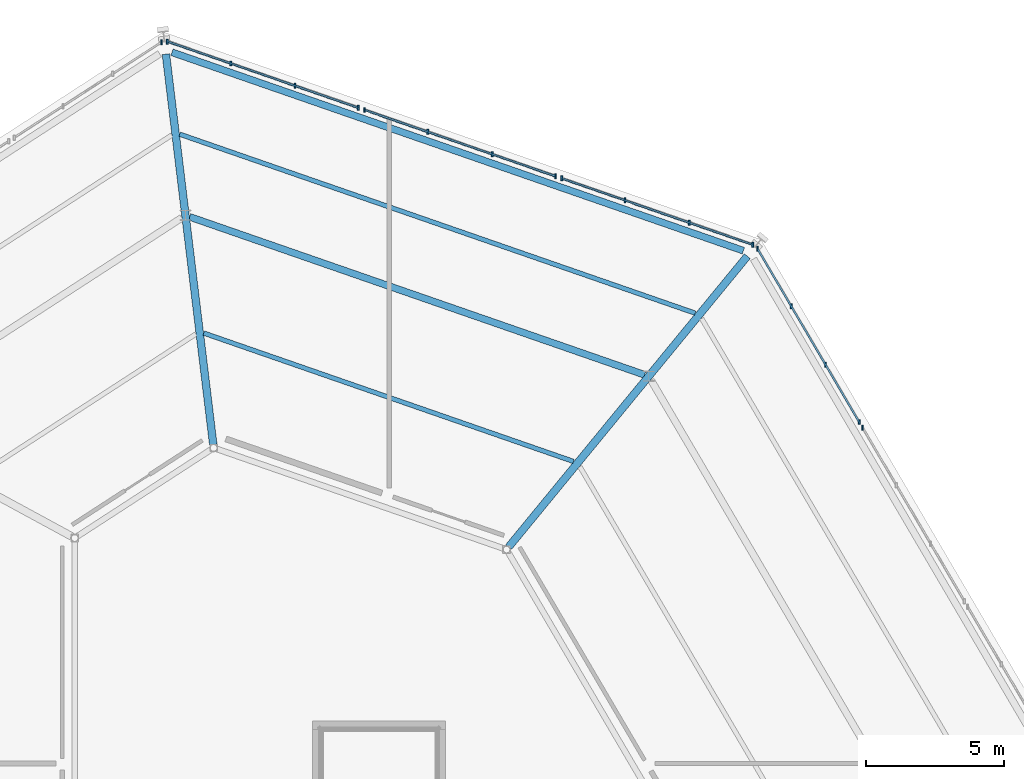
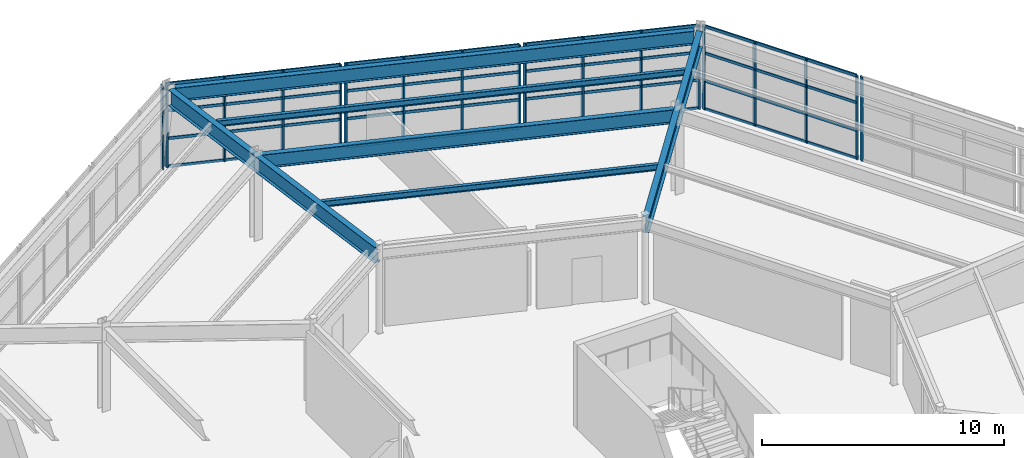
# One storey, part 45 of 77: 34 members, 6 beams, 6 elements without a shape of their own.
"""IFC4 building model written with IfcOpenShell, lengths in metres."""

from ifc_helpers import new_model, si_unit, direction, frame, origin, origin_2d, place, context, subcontext, project, spatial, rectangle, i_section, extrude, material, material_profile, profile_set, type_object, element, aggregate, save


model = new_model("IFC4")

# Units and contexts
model_context = context("Model", 3, precision=1e-05, world=origin(), true_north=direction((0.0, 1.0)))
body_context = subcontext(model_context, "Body", "Model", "MODEL_VIEW")
ifc_project = project(units=[si_unit("LENGTHUNIT", "METRE"), si_unit("AREAUNIT", "SQUARE_METRE"), si_unit("VOLUMEUNIT", "CUBIC_METRE"), si_unit("PLANEANGLEUNIT", "RADIAN"), si_unit("MASSUNIT", "GRAM", prefix="KILO")], contexts=[model_context])

# Site, building, storey
site_placement = place(None, origin())
site = spatial("IfcSite", under=ifc_project, at=site_placement, CompositionType="ELEMENT")
building_placement = place(site_placement, origin())
building = spatial("IfcBuilding", under=site, at=building_placement, Name="Sarnbrook Museum", CompositionType="ELEMENT")
storey_placement = place(building_placement, frame((0.0, 0.0, 5.60009765625)))
storey = spatial("IfcBuildingStorey", under=building, at=storey_placement, Name="L01", CompositionType="ELEMENT", Elevation=5.60009765625)

# Beams
ifc_material_1 = material(Name="Structural Steel Grade 350L0 (AS/NZS 3678, fy = 340 MPa for 20 < t <= 40 mm)", Category="steel")
ifc_material_profile_1 = material_profile(ifc_material_1, i_section(OverallWidth=0.25, OverallDepth=0.699951171875, WebThickness=0.010009765625, FlangeThickness=0.01611328125, at=origin_2d()), Name="700WB130")
ifc_profile_set_1 = profile_set([ifc_material_profile_1], Name="Structural Steel Grade 350L0 (AS/NZS 3678, fy = 340 MPa for 20 < t <= 40 mm)")
beam_type_1 = type_object("IfcBeamType", Name="BM-WB700", PredefinedType="BEAM", material=ifc_profile_set_1)
beam_1_placement = place(storey_placement, frame((156.96337890625, 107.194091796875, 3.889892578125), z_axis=(-0.944675827442, 0.328005458868, 0.0), x_axis=(-0.328005458868, -0.944675827442, 0.0)))
element("IfcBeam", 1, at=beam_1_placement, inside=storey, type_object=beam_type_1, Name="Crystal Hall Perimeter Ring Girder 5 L01", PredefinedType="BEAM", context=body_context, shape_type="SweptSolid", body=[
    extrude(i_section(OverallWidth=0.25, OverallDepth=0.699951171875, WebThickness=0.010009765625, FlangeThickness=0.01611328125, at=origin_2d()), origin(), (0.0, 0.0, 1.0), 21.85693359375),
])
beam_2_placement = place(storey_placement, frame((153.392578125, 102.70947265625, 3.889892578125), z_axis=(-0.944672698081, 0.328014471479, 0.0), x_axis=(-0.328014471479, -0.944672698081, 0.0)))
element("IfcBeam", 2, at=beam_2_placement, inside=storey, type_object=beam_type_1, Name="Crystal Hall R1 Ring Girder 5 L01", PredefinedType="BEAM", context=body_context, shape_type="SweptSolid", body=[
    extrude(i_section(OverallWidth=0.25, OverallDepth=0.699951171875, WebThickness=0.010009765625, FlangeThickness=0.01611328125, at=origin_2d()), origin(), (0.0, 0.0, 1.0), 17.400146484375),
])
ifc_material_profile_2 = material_profile(ifc_material_1, i_section(OverallWidth=0.27490234375, OverallDepth=0.800048828125, WebThickness=0.010009765625, FlangeThickness=0.01611328125, at=origin_2d()), Name="800WB146")
ifc_profile_set_2 = profile_set([ifc_material_profile_2], Name="Structural Steel Grade 350L0 (AS/NZS 3678, fy = 340 MPa for 20 < t <= 40 mm)")
beam_type_2 = type_object("IfcBeamType", Name="CR-CANT", PredefinedType="BEAM", material=ifc_profile_set_2)
beam_3_placement = place(storey_placement, frame((148.481689453125, 96.48876953125, 3.83984375), z_axis=(0.634367806142, 0.773031361932, 0.0), x_axis=(-0.773031361932, 0.634367806142, 0.0)))
element("IfcBeam", 3, at=beam_3_placement, inside=storey, type_object=beam_type_2, Name="Crystal Hall Radial Cantilever Girder 5 L01", PredefinedType="BEAM", context=body_context, shape_type="SweptSolid", body=[
    extrude(i_section(OverallWidth=0.27490234375, OverallDepth=0.800048828125, WebThickness=0.010009765625, FlangeThickness=0.01611328125, at=origin_2d()), origin(), (0.0, 0.0, 1.0), 13.59228515625),
])
beam_4_placement = place(storey_placement, frame((137.80810546875, 100.189697265625, 3.83984375), z_axis=(-0.120386268338, 0.992727125849, 0.0), x_axis=(-0.992727125849, -0.120386268338, 0.0)))
element("IfcBeam", 4, at=beam_4_placement, inside=storey, type_object=beam_type_2, Name="Crystal Hall Radial Cantilever Girder 6 L01", PredefinedType="BEAM", context=body_context, shape_type="SweptSolid", body=[
    extrude(i_section(OverallWidth=0.27490234375, OverallDepth=0.800048828125, WebThickness=0.010009765625, FlangeThickness=0.01611328125, at=origin_2d()), origin(), (0.0, 0.0, 1.0), 14.2099609375),
])

# Curtain wall, member
ifc_material_2 = material(Name="Thermally Broken Anodised Aluminium 6063-T6", Category="aluminium")
curtain_wall_type = type_object("IfcCurtainWallType", Name="CurtainWall_CrystalFacet", PredefinedType="NOTDEFINED", material=ifc_material_2)
curtain_wall_1_placement = place(storey_placement, origin())
curtain_wall_1 = element("IfcCurtainWall", 5, at=curtain_wall_1_placement, inside=storey, type_object=curtain_wall_type, Name="Crystal Hall Facet Curtain Wall L01-F4.2", PredefinedType="NOTDEFINED")
ifc_material_profile_3 = material_profile(ifc_material_2, rectangle(XDim=0.06494140625, YDim=0.179931640625, at=origin_2d()), Name="ALU MULLION 65x180")
ifc_profile_set_3 = profile_set([ifc_material_profile_3], Name="Thermally Broken Anodised Aluminium 6063-T6")
member_type_1 = type_object("IfcMemberType", Name="CW_Mullion_180x75", PredefinedType="MULLION", material=ifc_profile_set_3)
member_1_placement = place(storey_placement, frame((161.267578125, 100.797607421875, 0.0), z_axis=(0.0, 0.0, 1.0), x_axis=(1.0, 0.0, 0.0)))
member_1 = element("IfcMember", 6, at=member_1_placement, type_object=member_type_1, Name="Crystal Hall Facet Curtain Wall L01-F4.2 Mullion 4", PredefinedType="MULLION", context=body_context, shape_type="SweptSolid", body=[
    extrude(rectangle(XDim=0.06494140625, YDim=0.179931640625, at=origin_2d()), origin(), (0.0, 0.0, 1.0), 4.239990234375),
])
aggregate(curtain_wall_1, [member_1])

# Curtain wall, members
curtain_wall_2_placement = place(storey_placement, origin())
curtain_wall_2 = element("IfcCurtainWall", 7, at=curtain_wall_2_placement, inside=storey, type_object=curtain_wall_type, Name="Crystal Hall Facet Curtain Wall L01-F4.3", PredefinedType="NOTDEFINED")
member_2_placement = place(storey_placement, frame((161.14599609375, 101.004638671875, 0.0), z_axis=(0.0, 0.0, 1.0), x_axis=(1.0, 0.0, 0.0)))
member_2 = element("IfcMember", 8, at=member_2_placement, type_object=member_type_1, Name="Crystal Hall Facet Curtain Wall L01-F4.3 Mullion 1", PredefinedType="MULLION", context=body_context, shape_type="SweptSolid", body=[
    extrude(rectangle(XDim=0.06494140625, YDim=0.179931640625, at=origin_2d()), origin(), (0.0, 0.0, 1.0), 4.239990234375),
])
member_3_placement = place(storey_placement, frame((159.92822265625, 103.08056640625, 0.0), z_axis=(0.0, 0.0, 1.0), x_axis=(1.0, 0.0, 0.0)))
member_3 = element("IfcMember", 9, at=member_3_placement, type_object=member_type_1, Name="Crystal Hall Facet Curtain Wall L01-F4.3 Mullion 2", PredefinedType="MULLION", context=body_context, shape_type="SweptSolid", body=[
    extrude(rectangle(XDim=0.06494140625, YDim=0.179931640625, at=origin_2d()), origin(), (0.0, 0.0, 1.0), 4.239990234375),
])
member_4_placement = place(storey_placement, frame((158.68994140625, 105.19091796875, 0.0), z_axis=(0.0, 0.0, 1.0), x_axis=(1.0, 0.0, 0.0)))
member_4 = element("IfcMember", 10, at=member_4_placement, type_object=member_type_1, Name="Crystal Hall Facet Curtain Wall L01-F4.3 Mullion 3", PredefinedType="MULLION", context=body_context, shape_type="SweptSolid", body=[
    extrude(rectangle(XDim=0.06494140625, YDim=0.179931640625, at=origin_2d()), origin(), (0.0, 0.0, 1.0), 4.239990234375),
])
member_5_placement = place(storey_placement, frame((157.471923828125, 107.2666015625, 0.0), z_axis=(0.0, 0.0, 1.0), x_axis=(1.0, 0.0, 0.0)))
member_5 = element("IfcMember", 11, at=member_5_placement, type_object=member_type_1, Name="Crystal Hall Facet Curtain Wall L01-F4.3 Mullion 4", PredefinedType="MULLION", context=body_context, shape_type="SweptSolid", body=[
    extrude(rectangle(XDim=0.06494140625, YDim=0.179931640625, at=origin_2d()), origin(), (0.0, 0.0, 1.0), 4.239990234375),
])

curtain_wall_3_placement = place(storey_placement, origin())
curtain_wall_3 = element("IfcCurtainWall", 12, at=curtain_wall_3_placement, inside=storey, type_object=curtain_wall_type, Name="Crystal Hall Facet Curtain Wall L01-F5.1", PredefinedType="NOTDEFINED")
member_6_placement = place(storey_placement, frame((157.2978515625, 107.409423828125, 0.0), z_axis=(0.0, 0.0, 1.0), x_axis=(1.0, 0.0, 0.0)))
member_6 = element("IfcMember", 13, at=member_6_placement, type_object=member_type_1, Name="Crystal Hall Facet Curtain Wall L01-F5.1 Mullion 1", PredefinedType="MULLION", context=body_context, shape_type="SweptSolid", body=[
    extrude(rectangle(XDim=0.06494140625, YDim=0.179931640625, at=origin_2d()), origin(), (0.0, 0.0, 1.0), 4.239990234375),
])
member_7_placement = place(storey_placement, frame((155.01123046875, 108.20361328125, 0.0), z_axis=(0.0, 0.0, 1.0), x_axis=(1.0, 0.0, 0.0)))
member_7 = element("IfcMember", 14, at=member_7_placement, type_object=member_type_1, Name="Crystal Hall Facet Curtain Wall L01-F5.1 Mullion 2", PredefinedType="MULLION", context=body_context, shape_type="SweptSolid", body=[
    extrude(rectangle(XDim=0.06494140625, YDim=0.179931640625, at=origin_2d()), origin(), (0.0, 0.0, 1.0), 4.239990234375),
])
member_8_placement = place(storey_placement, frame((152.686767578125, 109.010498046875, 0.0), z_axis=(0.0, 0.0, 1.0), x_axis=(1.0, 0.0, 0.0)))
member_8 = element("IfcMember", 15, at=member_8_placement, type_object=member_type_1, Name="Crystal Hall Facet Curtain Wall L01-F5.1 Mullion 3", PredefinedType="MULLION", context=body_context, shape_type="SweptSolid", body=[
    extrude(rectangle(XDim=0.06494140625, YDim=0.179931640625, at=origin_2d()), origin(), (0.0, 0.0, 1.0), 4.239990234375),
])
member_9_placement = place(storey_placement, frame((150.39990234375, 109.8046875, 0.0), z_axis=(0.0, 0.0, 1.0), x_axis=(1.0, 0.0, 0.0)))
member_9 = element("IfcMember", 16, at=member_9_placement, type_object=member_type_1, Name="Crystal Hall Facet Curtain Wall L01-F5.1 Mullion 4", PredefinedType="MULLION", context=body_context, shape_type="SweptSolid", body=[
    extrude(rectangle(XDim=0.06494140625, YDim=0.179931640625, at=origin_2d()), origin(), (0.0, 0.0, 1.0), 4.239990234375),
])

curtain_wall_4_placement = place(storey_placement, origin())
curtain_wall_4 = element("IfcCurtainWall", 17, at=curtain_wall_4_placement, inside=storey, type_object=curtain_wall_type, Name="Crystal Hall Facet Curtain Wall L01-F5.2", PredefinedType="NOTDEFINED")
member_10_placement = place(storey_placement, frame((150.17333984375, 109.88330078125, 0.0), z_axis=(0.0, 0.0, 1.0), x_axis=(1.0, 0.0, 0.0)))
member_10 = element("IfcMember", 18, at=member_10_placement, type_object=member_type_1, Name="Crystal Hall Facet Curtain Wall L01-F5.2 Mullion 1", PredefinedType="MULLION", context=body_context, shape_type="SweptSolid", body=[
    extrude(rectangle(XDim=0.06494140625, YDim=0.179931640625, at=origin_2d()), origin(), (0.0, 0.0, 1.0), 4.239990234375),
])
member_11_placement = place(storey_placement, frame((147.88671875, 110.67724609375, 0.0), z_axis=(0.0, 0.0, 1.0), x_axis=(1.0, 0.0, 0.0)))
member_11 = element("IfcMember", 19, at=member_11_placement, type_object=member_type_1, Name="Crystal Hall Facet Curtain Wall L01-F5.2 Mullion 2", PredefinedType="MULLION", context=body_context, shape_type="SweptSolid", body=[
    extrude(rectangle(XDim=0.06494140625, YDim=0.179931640625, at=origin_2d()), origin(), (0.0, 0.0, 1.0), 4.239990234375),
])
member_12_placement = place(storey_placement, frame((145.56201171875, 111.484375, 0.0), z_axis=(0.0, 0.0, 1.0), x_axis=(1.0, 0.0, 0.0)))
member_12 = element("IfcMember", 20, at=member_12_placement, type_object=member_type_1, Name="Crystal Hall Facet Curtain Wall L01-F5.2 Mullion 3", PredefinedType="MULLION", context=body_context, shape_type="SweptSolid", body=[
    extrude(rectangle(XDim=0.06494140625, YDim=0.179931640625, at=origin_2d()), origin(), (0.0, 0.0, 1.0), 4.239990234375),
])
member_13_placement = place(storey_placement, frame((143.275390625, 112.2783203125, 0.0), z_axis=(0.0, 0.0, 1.0), x_axis=(1.0, 0.0, 0.0)))
member_13 = element("IfcMember", 21, at=member_13_placement, type_object=member_type_1, Name="Crystal Hall Facet Curtain Wall L01-F5.2 Mullion 4", PredefinedType="MULLION", context=body_context, shape_type="SweptSolid", body=[
    extrude(rectangle(XDim=0.06494140625, YDim=0.179931640625, at=origin_2d()), origin(), (0.0, 0.0, 1.0), 4.239990234375),
])

curtain_wall_5_placement = place(storey_placement, origin())
curtain_wall_5 = element("IfcCurtainWall", 22, at=curtain_wall_5_placement, inside=storey, type_object=curtain_wall_type, Name="Crystal Hall Facet Curtain Wall L01-F5.3", PredefinedType="NOTDEFINED")
member_14_placement = place(storey_placement, frame((143.048583984375, 112.357177734375, 0.0), z_axis=(0.0, 0.0, 1.0), x_axis=(1.0, 0.0, 0.0)))
member_14 = element("IfcMember", 23, at=member_14_placement, type_object=member_type_1, Name="Crystal Hall Facet Curtain Wall L01-F5.3 Mullion 1", PredefinedType="MULLION", context=body_context, shape_type="SweptSolid", body=[
    extrude(rectangle(XDim=0.06494140625, YDim=0.179931640625, at=origin_2d()), origin(), (0.0, 0.0, 1.0), 4.239990234375),
])
member_15_placement = place(storey_placement, frame((140.761962890625, 113.151123046875, 0.0), z_axis=(0.0, 0.0, 1.0), x_axis=(1.0, 0.0, 0.0)))
member_15 = element("IfcMember", 24, at=member_15_placement, type_object=member_type_1, Name="Crystal Hall Facet Curtain Wall L01-F5.3 Mullion 2", PredefinedType="MULLION", context=body_context, shape_type="SweptSolid", body=[
    extrude(rectangle(XDim=0.06494140625, YDim=0.179931640625, at=origin_2d()), origin(), (0.0, 0.0, 1.0), 4.239990234375),
])
member_16_placement = place(storey_placement, frame((138.4375, 113.958251953125, 0.0), z_axis=(0.0, 0.0, 1.0), x_axis=(1.0, 0.0, 0.0)))
member_16 = element("IfcMember", 25, at=member_16_placement, type_object=member_type_1, Name="Crystal Hall Facet Curtain Wall L01-F5.3 Mullion 3", PredefinedType="MULLION", context=body_context, shape_type="SweptSolid", body=[
    extrude(rectangle(XDim=0.06494140625, YDim=0.179931640625, at=origin_2d()), origin(), (0.0, 0.0, 1.0), 4.239990234375),
])
member_17_placement = place(storey_placement, frame((136.15087890625, 114.752197265625, 0.0), z_axis=(0.0, 0.0, 1.0), x_axis=(1.0, 0.0, 0.0)))
member_17 = element("IfcMember", 26, at=member_17_placement, type_object=member_type_1, Name="Crystal Hall Facet Curtain Wall L01-F5.3 Mullion 4", PredefinedType="MULLION", context=body_context, shape_type="SweptSolid", body=[
    extrude(rectangle(XDim=0.06494140625, YDim=0.179931640625, at=origin_2d()), origin(), (0.0, 0.0, 1.0), 4.239990234375),
])

# Curtain wall, member
curtain_wall_6_placement = place(storey_placement, origin())
curtain_wall_6 = element("IfcCurtainWall", 27, at=curtain_wall_6_placement, inside=storey, type_object=curtain_wall_type, Name="Crystal Hall Facet Curtain Wall L01-F6.1", PredefinedType="NOTDEFINED")
member_18_placement = place(storey_placement, frame((135.936767578125, 114.726318359375, 0.0), z_axis=(0.0, 0.0, 1.0), x_axis=(1.0, 0.0, 0.0)))
member_18 = element("IfcMember", 28, at=member_18_placement, type_object=member_type_1, Name="Crystal Hall Facet Curtain Wall L01-F6.1 Mullion 1", PredefinedType="MULLION", context=body_context, shape_type="SweptSolid", body=[
    extrude(rectangle(XDim=0.06494140625, YDim=0.179931640625, at=origin_2d()), origin(), (0.0, 0.0, 1.0), 4.239990234375),
])
aggregate(curtain_wall_6, [member_18])

# Member
ifc_material_profile_4 = material_profile(ifc_material_2, rectangle(XDim=0.06494140625, YDim=0.139892578125, at=origin_2d()), Name="ALU TRANSOM 65x140")
ifc_profile_set_4 = profile_set([ifc_material_profile_4], Name="Thermally Broken Anodised Aluminium 6063-T6")
member_type_2 = type_object("IfcMemberType", Name="CW_Transom_150x65", PredefinedType="USERDEFINED", material=ifc_profile_set_4)
member_19_placement = place(storey_placement, frame((161.14111328125, 101.01318359375, 0.039794921875), z_axis=(-0.506056085143, 0.862500573153, 0.0), x_axis=(-0.862500573153, -0.506056085143, 0.0)))
member_19 = element("IfcMember", 29, at=member_19_placement, type_object=member_type_2, Name="Crystal Hall Facet Curtain Wall L01-F4.3 Transom 1", ObjectType="TRANSOM", PredefinedType="USERDEFINED", context=body_context, shape_type="SweptSolid", body=[
    extrude(rectangle(XDim=0.06494140625, YDim=0.139892578125, at=origin_2d()), origin(), (0.0, 0.0, 1.0), 7.240478515625),
])

member_20_placement = place(storey_placement, frame((161.14111328125, 101.01318359375, 1.449951171875), z_axis=(-0.506056085143, 0.862500573153, 0.0), x_axis=(-0.862500573153, -0.506056085143, 0.0)))
member_20 = element("IfcMember", 30, at=member_20_placement, type_object=member_type_2, Name="Crystal Hall Facet Curtain Wall L01-F4.3 Transom 2", ObjectType="TRANSOM", PredefinedType="USERDEFINED", context=body_context, shape_type="SweptSolid", body=[
    extrude(rectangle(XDim=0.06494140625, YDim=0.139892578125, at=origin_2d()), origin(), (0.0, 0.0, 1.0), 7.240478515625),
])

member_21_placement = place(storey_placement, frame((161.14111328125, 101.01318359375, 2.849853515625), z_axis=(-0.506056085143, 0.862500573153, 0.0), x_axis=(-0.862500573153, -0.506056085143, 0.0)))
member_21 = element("IfcMember", 31, at=member_21_placement, type_object=member_type_2, Name="Crystal Hall Facet Curtain Wall L01-F4.3 Transom 3", ObjectType="TRANSOM", PredefinedType="USERDEFINED", context=body_context, shape_type="SweptSolid", body=[
    extrude(rectangle(XDim=0.06494140625, YDim=0.139892578125, at=origin_2d()), origin(), (0.0, 0.0, 1.0), 7.240478515625),
])

member_22_placement = place(storey_placement, frame((161.14111328125, 101.01318359375, 4.199951171875), z_axis=(-0.506056085143, 0.862500573153, 0.0), x_axis=(-0.862500573153, -0.506056085143, 0.0)))
member_22 = element("IfcMember", 32, at=member_22_placement, type_object=member_type_2, Name="Crystal Hall Facet Curtain Wall L01-F4.3 Transom 4", ObjectType="TRANSOM", PredefinedType="USERDEFINED", context=body_context, shape_type="SweptSolid", body=[
    extrude(rectangle(XDim=0.06494140625, YDim=0.139892578125, at=origin_2d()), origin(), (0.0, 0.0, 1.0), 7.240478515625),
])

aggregate(curtain_wall_2, [member_2, member_3, member_4, member_5, member_19, member_20, member_21, member_22])

member_23_placement = place(storey_placement, frame((157.28857421875, 107.41259765625, 0.039794921875), z_axis=(-0.944670345609, 0.328021246458, 0.0), x_axis=(-0.328021246458, -0.944670345609, 0.0)))
member_23 = element("IfcMember", 33, at=member_23_placement, type_object=member_type_2, Name="Crystal Hall Facet Curtain Wall L01-F5.1 Transom 1", ObjectType="TRANSOM", PredefinedType="USERDEFINED", context=body_context, shape_type="SweptSolid", body=[
    extrude(rectangle(XDim=0.06494140625, YDim=0.139892578125, at=origin_2d()), origin(), (0.0, 0.0, 1.0), 7.281982421875),
])

member_24_placement = place(storey_placement, frame((157.28857421875, 107.41259765625, 1.449951171875), z_axis=(-0.944670345609, 0.328021246458, 0.0), x_axis=(-0.328021246458, -0.944670345609, 0.0)))
member_24 = element("IfcMember", 34, at=member_24_placement, type_object=member_type_2, Name="Crystal Hall Facet Curtain Wall L01-F5.1 Transom 2", ObjectType="TRANSOM", PredefinedType="USERDEFINED", context=body_context, shape_type="SweptSolid", body=[
    extrude(rectangle(XDim=0.06494140625, YDim=0.139892578125, at=origin_2d()), origin(), (0.0, 0.0, 1.0), 7.281982421875),
])

member_25_placement = place(storey_placement, frame((157.28857421875, 107.41259765625, 2.849853515625), z_axis=(-0.944670345609, 0.328021246458, 0.0), x_axis=(-0.328021246458, -0.944670345609, 0.0)))
member_25 = element("IfcMember", 35, at=member_25_placement, type_object=member_type_2, Name="Crystal Hall Facet Curtain Wall L01-F5.1 Transom 3", ObjectType="TRANSOM", PredefinedType="USERDEFINED", context=body_context, shape_type="SweptSolid", body=[
    extrude(rectangle(XDim=0.06494140625, YDim=0.139892578125, at=origin_2d()), origin(), (0.0, 0.0, 1.0), 7.281982421875),
])

member_26_placement = place(storey_placement, frame((157.28857421875, 107.41259765625, 4.199951171875), z_axis=(-0.944670345609, 0.328021246458, 0.0), x_axis=(-0.328021246458, -0.944670345609, 0.0)))
member_26 = element("IfcMember", 36, at=member_26_placement, type_object=member_type_2, Name="Crystal Hall Facet Curtain Wall L01-F5.1 Transom 4", ObjectType="TRANSOM", PredefinedType="USERDEFINED", context=body_context, shape_type="SweptSolid", body=[
    extrude(rectangle(XDim=0.06494140625, YDim=0.139892578125, at=origin_2d()), origin(), (0.0, 0.0, 1.0), 7.281982421875),
])

aggregate(curtain_wall_3, [member_6, member_7, member_8, member_9, member_23, member_24, member_25, member_26])

member_27_placement = place(storey_placement, frame((150.163818359375, 109.88671875, 0.039794921875), z_axis=(-0.944677127194, 0.328001715479, 0.0), x_axis=(-0.328001715479, -0.944677127194, 0.0)))
member_27 = element("IfcMember", 37, at=member_27_placement, type_object=member_type_2, Name="Crystal Hall Facet Curtain Wall L01-F5.2 Transom 1", ObjectType="TRANSOM", PredefinedType="USERDEFINED", context=body_context, shape_type="SweptSolid", body=[
    extrude(rectangle(XDim=0.06494140625, YDim=0.139892578125, at=origin_2d()), origin(), (0.0, 0.0, 1.0), 7.28173828125),
])

member_28_placement = place(storey_placement, frame((150.163818359375, 109.88671875, 1.449951171875), z_axis=(-0.944677127194, 0.328001715479, 0.0), x_axis=(-0.328001715479, -0.944677127194, 0.0)))
member_28 = element("IfcMember", 38, at=member_28_placement, type_object=member_type_2, Name="Crystal Hall Facet Curtain Wall L01-F5.2 Transom 2", ObjectType="TRANSOM", PredefinedType="USERDEFINED", context=body_context, shape_type="SweptSolid", body=[
    extrude(rectangle(XDim=0.06494140625, YDim=0.139892578125, at=origin_2d()), origin(), (0.0, 0.0, 1.0), 7.28173828125),
])

member_29_placement = place(storey_placement, frame((150.163818359375, 109.88671875, 2.849853515625), z_axis=(-0.944677127194, 0.328001715479, 0.0), x_axis=(-0.328001715479, -0.944677127194, 0.0)))
member_29 = element("IfcMember", 39, at=member_29_placement, type_object=member_type_2, Name="Crystal Hall Facet Curtain Wall L01-F5.2 Transom 3", ObjectType="TRANSOM", PredefinedType="USERDEFINED", context=body_context, shape_type="SweptSolid", body=[
    extrude(rectangle(XDim=0.06494140625, YDim=0.139892578125, at=origin_2d()), origin(), (0.0, 0.0, 1.0), 7.28173828125),
])

member_30_placement = place(storey_placement, frame((150.163818359375, 109.88671875, 4.199951171875), z_axis=(-0.944677127194, 0.328001715479, 0.0), x_axis=(-0.328001715479, -0.944677127194, 0.0)))
member_30 = element("IfcMember", 40, at=member_30_placement, type_object=member_type_2, Name="Crystal Hall Facet Curtain Wall L01-F5.2 Transom 4", ObjectType="TRANSOM", PredefinedType="USERDEFINED", context=body_context, shape_type="SweptSolid", body=[
    extrude(rectangle(XDim=0.06494140625, YDim=0.139892578125, at=origin_2d()), origin(), (0.0, 0.0, 1.0), 7.28173828125),
])

aggregate(curtain_wall_4, [member_10, member_11, member_12, member_13, member_27, member_28, member_29, member_30])

member_31_placement = place(storey_placement, frame((143.039306640625, 112.3603515625, 0.039794921875), z_axis=(-0.944670345609, 0.328021246458, 0.0), x_axis=(-0.328021246458, -0.944670345609, 0.0)))
member_31 = element("IfcMember", 41, at=member_31_placement, type_object=member_type_2, Name="Crystal Hall Facet Curtain Wall L01-F5.3 Transom 1", ObjectType="TRANSOM", PredefinedType="USERDEFINED", context=body_context, shape_type="SweptSolid", body=[
    extrude(rectangle(XDim=0.06494140625, YDim=0.139892578125, at=origin_2d()), origin(), (0.0, 0.0, 1.0), 7.281982421875),
])

member_32_placement = place(storey_placement, frame((143.039306640625, 112.3603515625, 1.449951171875), z_axis=(-0.944670345609, 0.328021246458, 0.0), x_axis=(-0.328021246458, -0.944670345609, 0.0)))
member_32 = element("IfcMember", 42, at=member_32_placement, type_object=member_type_2, Name="Crystal Hall Facet Curtain Wall L01-F5.3 Transom 2", ObjectType="TRANSOM", PredefinedType="USERDEFINED", context=body_context, shape_type="SweptSolid", body=[
    extrude(rectangle(XDim=0.06494140625, YDim=0.139892578125, at=origin_2d()), origin(), (0.0, 0.0, 1.0), 7.281982421875),
])

member_33_placement = place(storey_placement, frame((143.039306640625, 112.3603515625, 2.849853515625), z_axis=(-0.944670345609, 0.328021246458, 0.0), x_axis=(-0.328021246458, -0.944670345609, 0.0)))
member_33 = element("IfcMember", 43, at=member_33_placement, type_object=member_type_2, Name="Crystal Hall Facet Curtain Wall L01-F5.3 Transom 3", ObjectType="TRANSOM", PredefinedType="USERDEFINED", context=body_context, shape_type="SweptSolid", body=[
    extrude(rectangle(XDim=0.06494140625, YDim=0.139892578125, at=origin_2d()), origin(), (0.0, 0.0, 1.0), 7.281982421875),
])

member_34_placement = place(storey_placement, frame((143.039306640625, 112.3603515625, 4.199951171875), z_axis=(-0.944670345609, 0.328021246458, 0.0), x_axis=(-0.328021246458, -0.944670345609, 0.0)))
member_34 = element("IfcMember", 44, at=member_34_placement, type_object=member_type_2, Name="Crystal Hall Facet Curtain Wall L01-F5.3 Transom 4", ObjectType="TRANSOM", PredefinedType="USERDEFINED", context=body_context, shape_type="SweptSolid", body=[
    extrude(rectangle(XDim=0.06494140625, YDim=0.139892578125, at=origin_2d()), origin(), (0.0, 0.0, 1.0), 7.281982421875),
])

aggregate(curtain_wall_5, [member_14, member_15, member_16, member_17, member_31, member_32, member_33, member_34])

# Beams
ifc_material_3 = material(Name="Structural Steel Grade 300PLUS (AS/NZS 3679.1, fy = 280 MPa for 17 < t <= 40 mm, 300 MPa for t <= 17 mm)", Category="steel")
ifc_material_profile_5 = material_profile(ifc_material_3, i_section(OverallWidth=0.1650390625, OverallDepth=0.303955078125, WebThickness=0.006103515625, FlangeThickness=0.01025390625, FilletRadius=0.011474609375, at=origin_2d()), Name="310UB40.4")
ifc_profile_set_5 = profile_set([ifc_material_profile_5], Name="Structural Steel Grade 300PLUS (AS/NZS 3679.1, fy = 280 MPa for 17 < t <= 40 mm, 300 MPa for t <= 17 mm)")
beam_type_3 = type_object("IfcBeamType", Name="JS-UB310", PredefinedType="JOIST", material=ifc_profile_set_5)
beam_5_placement = place(storey_placement, frame((155.220458984375, 104.93701171875, 4.087890625), z_axis=(-0.944676381724, 0.328003862497, 0.0), x_axis=(-0.328003862497, -0.944676381724, 0.0)))
element("IfcBeam", 45, at=beam_5_placement, inside=storey, type_object=beam_type_3, Name="Crystal Hall Tangential Joist MO-5 L01", PredefinedType="JOIST", context=body_context, shape_type="SweptSolid", body=[
    extrude(i_section(OverallWidth=0.1650390625, OverallDepth=0.303955078125, WebThickness=0.006103515625, FlangeThickness=0.01025390625, FilletRadius=0.011474609375, at=origin_2d()), origin(), (0.0, 0.0, 1.0), 19.718505859375),
])
beam_6_placement = place(storey_placement, frame((150.823486328125, 99.5791015625, 4.087890625), z_axis=(-0.944677156242, 0.328001631818, 0.0), x_axis=(-0.328001631818, -0.944677156242, 0.0)))
element("IfcBeam", 46, at=beam_6_placement, inside=storey, type_object=beam_type_3, Name="Crystal Hall Tangential Joist MI-5 L01", PredefinedType="JOIST", context=body_context, shape_type="SweptSolid", body=[
    extrude(i_section(OverallWidth=0.1650390625, OverallDepth=0.303955078125, WebThickness=0.006103515625, FlangeThickness=0.01025390625, FilletRadius=0.011474609375, at=origin_2d()), origin(), (0.0, 0.0, 1.0), 14.141357421875),
])

save(model, "model.ifc")
